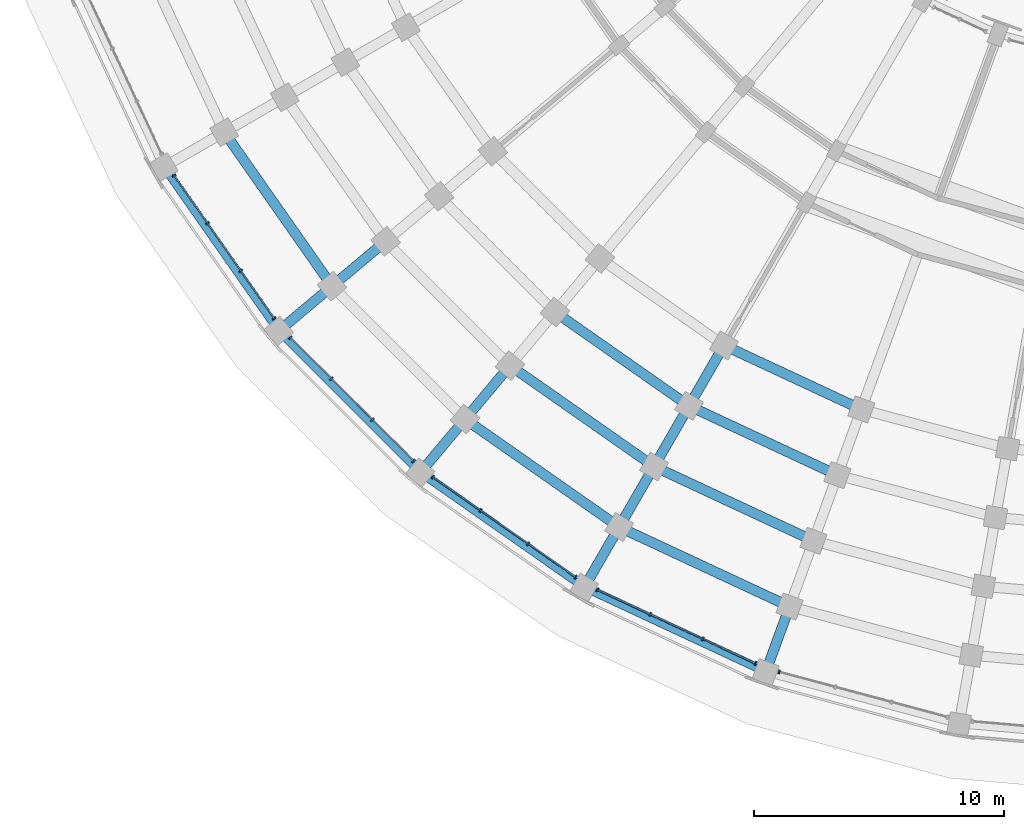
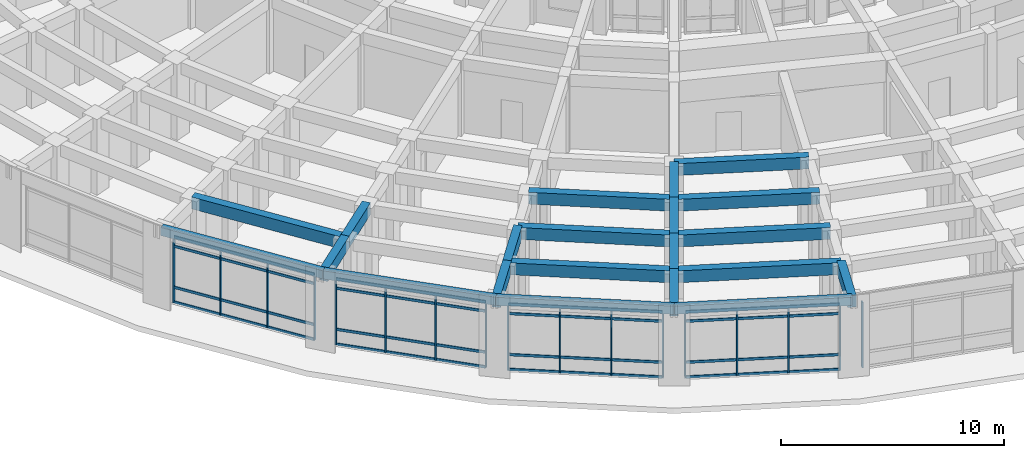
# One storey, part 13 of 135: 33 members, 21 beams, 5 elements without a shape of their own.
"""IFC4 building model written with IfcOpenShell, lengths in metres."""

from ifc_helpers import new_model, si_unit, direction, frame, origin, origin_2d, place, context, subcontext, project, spatial, rectangle, extrude, material, material_profile, profile_set, type_object, element, aggregate, save


model = new_model("IFC4")

# Units and contexts
model_context = context("Model", 3, precision=1e-05, world=origin(), true_north=direction((0.0, 1.0)))
body_context = subcontext(model_context, "Body", "Model", "MODEL_VIEW")
ifc_project = project(units=[si_unit("LENGTHUNIT", "METRE"), si_unit("AREAUNIT", "SQUARE_METRE"), si_unit("VOLUMEUNIT", "CUBIC_METRE"), si_unit("PLANEANGLEUNIT", "RADIAN"), si_unit("MASSUNIT", "GRAM", prefix="KILO")], contexts=[model_context])

# Site, building, storey
site_placement = place(None, origin())
site = spatial("IfcSite", under=ifc_project, at=site_placement, CompositionType="ELEMENT")
building_placement = place(site_placement, origin())
building = spatial("IfcBuilding", under=site, at=building_placement, Name="Kiranvali Square Residences", CompositionType="ELEMENT")
storey_placement = place(building_placement, origin())
storey = spatial("IfcBuildingStorey", under=building, at=storey_placement, Name="L00", CompositionType="ELEMENT", Elevation=0.0)

# Beams
ifc_material_1 = material(Name="Concrete M45 (45 MPa)", Category="concrete")
ifc_material_profile_1 = material_profile(ifc_material_1, rectangle(XDim=0.39990234375, YDim=0.64990234375, at=origin_2d()), Name="RC 400x650")
ifc_profile_set_1 = profile_set([ifc_material_profile_1], Name="Concrete M45 (45 MPa)")
beam_type_1 = type_object("IfcBeamType", Name="BM-M45-400x650", PredefinedType="BEAM", material=ifc_profile_set_1)
beam_1_placement = place(storey_placement, frame((36.297607421875, 15.498779296875, 3.824951171875), z_axis=(-0.906312656069, 0.42260781991, 0.0), x_axis=(-0.42260781991, -0.906312656069, 0.0)))
element("IfcBeam", 1, at=beam_1_placement, inside=storey, type_object=beam_type_1, Name="L00 beam BM-C-L00-C02-R3", PredefinedType="BEAM", context=body_context, shape_type="SweptSolid", body=[
    extrude(rectangle(XDim=0.39990234375, YDim=0.64990234375, at=origin_2d()), origin(), (0.0, 0.0, 1.0), 6.06591796875),
])
beam_2_placement = place(storey_placement, frame((35.340087890625, 12.86767578125, 3.824951171875), z_axis=(-0.906318225223, 0.422595876255, 0.0), x_axis=(-0.422595876255, -0.906318225223, 0.0)))
element("IfcBeam", 2, at=beam_2_placement, inside=storey, type_object=beam_type_1, Name="L00 beam BM-C-L00-C02-R4", PredefinedType="BEAM", context=body_context, shape_type="SweptSolid", body=[
    extrude(rectangle(XDim=0.39990234375, YDim=0.64990234375, at=origin_2d()), origin(), (0.0, 0.0, 1.0), 6.55419921875),
])
beam_3_placement = place(storey_placement, frame((34.38232421875, 10.236328125, 3.824951171875), z_axis=(-0.906297360311, 0.422640621205, 0.0), x_axis=(-0.422640621205, -0.906297360311, 0.0)))
element("IfcBeam", 3, at=beam_3_placement, inside=storey, type_object=beam_type_1, Name="L00 beam BM-C-L00-C02-R5", PredefinedType="BEAM", context=body_context, shape_type="SweptSolid", body=[
    extrude(rectangle(XDim=0.39990234375, YDim=0.64990234375, at=origin_2d()), origin(), (0.0, 0.0, 1.0), 7.042236328125),
])
beam_4_placement = place(storey_placement, frame((33.4248046875, 7.605224609375, 3.824951171875), z_axis=(-0.90630982703, 0.422613886933, 0.0), x_axis=(-0.422613886933, -0.90630982703, 0.0)))
element("IfcBeam", 4, at=beam_4_placement, inside=storey, type_object=beam_type_1, Name="L00 beam BM-C-L00-C02-R6", PredefinedType="BEAM", context=body_context, shape_type="SweptSolid", body=[
    extrude(rectangle(XDim=0.39990234375, YDim=0.64990234375, at=origin_2d()), origin(), (0.0, 0.0, 1.0), 7.5302734375),
])
beam_5_placement = place(storey_placement, frame((29.39990234375, 15.637451171875, 3.824951171875), z_axis=(-0.819144409176, 0.573587340268, 0.0), x_axis=(-0.573587340268, -0.819144409176, 0.0)))
element("IfcBeam", 5, at=beam_5_placement, inside=storey, type_object=beam_type_1, Name="L00 beam BM-C-L00-C03-R4", PredefinedType="BEAM", context=body_context, shape_type="SweptSolid", body=[
    extrude(rectangle(XDim=0.39990234375, YDim=0.64990234375, at=origin_2d()), origin(), (0.0, 0.0, 1.0), 6.553955078125),
])
beam_6_placement = place(storey_placement, frame((28.0, 13.212646484375, 3.824951171875), z_axis=(-0.819160249246, 0.57356471828, 0.0), x_axis=(-0.57356471828, -0.819160249246, 0.0)))
element("IfcBeam", 6, at=beam_6_placement, inside=storey, type_object=beam_type_1, Name="L00 beam BM-C-L00-C03-R5", PredefinedType="BEAM", context=body_context, shape_type="SweptSolid", body=[
    extrude(rectangle(XDim=0.39990234375, YDim=0.64990234375, at=origin_2d()), origin(), (0.0, 0.0, 1.0), 7.0419921875),
])
for number, where, z_axis, x_axis, name in (
    (7, (26.60009765625, 10.78759765625, 3.824951171875), (-0.819143569597, 0.573588539275, 0.0), (-0.573588539275, -0.819143569597, 0.0), "L00 beam BM-C-L00-C03-R6"),
    (8, (15.10693359375, 20.431640625, 3.824951171875), (-0.573588539275, 0.819143569597, 0.0), (-0.819143569597, -0.573588539275, 0.0), "L00 beam BM-C-L00-C05-R6"),
):
    element("IfcBeam", number, at=place(storey_placement, frame(where, z_axis=z_axis, x_axis=x_axis)), inside=storey, type_object=beam_type_1, Name=name, PredefinedType="BEAM", context=body_context, shape_type="SweptSolid", body=[
        extrude(rectangle(XDim=0.39990234375, YDim=0.64990234375, at=origin_2d()), origin(), (0.0, 0.0, 1.0), 7.5302734375),
    ])
for number, where, z_axis, x_axis, name in (
    (9, (33.4248046875, 7.605224609375, 3.824951171875), (-0.342058084236, -0.939678810556, 0.0), (0.939678810556, -0.342058084236, 0.0), "L00 beam BM-C-L00-RAD02-67"),
    (10, (30.800048828125, 18.062255859375, 3.824951171875), (-0.500049511043, -0.865996816683, 0.0), (0.865996816683, -0.500049511043, 0.0), "L00 beam BM-C-L00-RAD03-34"),
):
    element("IfcBeam", number, at=place(storey_placement, frame(where, z_axis=z_axis, x_axis=x_axis)), inside=storey, type_object=beam_type_1, Name=name, PredefinedType="BEAM", context=body_context, shape_type="SweptSolid", body=[
        extrude(rectangle(XDim=0.39990234375, YDim=0.64990234375, at=origin_2d()), origin(), (0.0, 0.0, 1.0), 2.800048828125),
    ])
beam_7_placement = place(storey_placement, frame((29.39990234375, 15.637451171875, 3.824951171875), z_axis=(-0.49998411664, -0.866034573852, 0.0), x_axis=(0.866034573852, -0.49998411664, 0.0)))
element("IfcBeam", 11, at=beam_7_placement, inside=storey, type_object=beam_type_1, Name="L00 beam BM-C-L00-RAD03-45", PredefinedType="BEAM", context=body_context, shape_type="SweptSolid", body=[
    extrude(rectangle(XDim=0.39990234375, YDim=0.64990234375, at=origin_2d()), origin(), (0.0, 0.0, 1.0), 2.7998046875),
])
for number, where, z_axis, x_axis, name in (
    (12, (28.0, 13.212646484375, 3.824951171875), (-0.49994636267, -0.866056369097, 0.0), (0.866056369097, -0.49994636267, 0.0), "L00 beam BM-C-L00-RAD03-56"),
    (13, (26.60009765625, 10.78759765625, 3.824951171875), (-0.500049511043, -0.865996816683, 0.0), (0.865996816683, -0.500049511043, 0.0), "L00 beam BM-C-L00-RAD03-67"),
):
    element("IfcBeam", number, at=place(storey_placement, frame(where, z_axis=z_axis, x_axis=x_axis)), inside=storey, type_object=beam_type_1, Name=name, PredefinedType="BEAM", context=body_context, shape_type="SweptSolid", body=[
        extrude(rectangle(XDim=0.39990234375, YDim=0.64990234375, at=origin_2d()), origin(), (0.0, 0.0, 1.0), 2.800048828125),
    ])
beam_8_placement = place(storey_placement, frame((22.2314453125, 17.251708984375, 3.824951171875), z_axis=(-0.642813692253, -0.76602255649, 0.0), x_axis=(0.76602255649, -0.642813692253, 0.0)))
element("IfcBeam", 14, at=beam_8_placement, inside=storey, type_object=beam_type_1, Name="L00 beam BM-C-L00-RAD04-56", PredefinedType="BEAM", context=body_context, shape_type="SweptSolid", body=[
    extrude(rectangle(XDim=0.39990234375, YDim=0.64990234375, at=origin_2d()), origin(), (0.0, 0.0, 1.0), 2.7998046875),
])
beam_9_placement = place(storey_placement, frame((20.431640625, 15.10693359375, 3.824951171875), z_axis=(-0.642770757628, -0.766058583359, 0.0), x_axis=(0.766058583359, -0.642770757628, 0.0)))
element("IfcBeam", 15, at=beam_9_placement, inside=storey, type_object=beam_type_1, Name="L00 beam BM-C-L00-RAD04-67", PredefinedType="BEAM", context=body_context, shape_type="SweptSolid", body=[
    extrude(rectangle(XDim=0.39990234375, YDim=0.64990234375, at=origin_2d()), origin(), (0.0, 0.0, 1.0), 2.800048828125),
])
beam_10_placement = place(storey_placement, frame((17.251708984375, 22.2314453125, 3.824951171875), z_axis=(-0.76602255649, -0.642813692253, 0.0), x_axis=(0.642813692253, -0.76602255649, 0.0)))
element("IfcBeam", 16, at=beam_10_placement, inside=storey, type_object=beam_type_1, Name="L00 beam BM-C-L00-RAD05-56", PredefinedType="BEAM", context=body_context, shape_type="SweptSolid", body=[
    extrude(rectangle(XDim=0.39990234375, YDim=0.64990234375, at=origin_2d()), origin(), (0.0, 0.0, 1.0), 2.7998046875),
])
beam_11_placement = place(storey_placement, frame((15.10693359375, 20.431640625, 3.824951171875), z_axis=(-0.766058583359, -0.642770757628, 0.0), x_axis=(0.642770757628, -0.766058583359, 0.0)))
element("IfcBeam", 17, at=beam_11_placement, inside=storey, type_object=beam_type_1, Name="L00 beam BM-C-L00-RAD05-67", PredefinedType="BEAM", context=body_context, shape_type="SweptSolid", body=[
    extrude(rectangle(XDim=0.39990234375, YDim=0.64990234375, at=origin_2d()), origin(), (0.0, 0.0, 1.0), 2.800048828125),
])

# Curtain wall, member
ifc_material_2 = material(Name="Anodised bronze aluminium framing", Category="aluminium")
curtain_wall_type = type_object("IfcCurtainWallType", Name="CW-RET-SHOP", PredefinedType="USERDEFINED", material=ifc_material_2)
curtain_wall_1_placement = place(storey_placement, origin())
curtain_wall_1 = element("IfcCurtainWall", 18, at=curtain_wall_1_placement, inside=storey, type_object=curtain_wall_type, Name="Block C L00 rounded-corner arcade curtain wall 2", ObjectType="CURTAIN WALL", PredefinedType="USERDEFINED")
ifc_material_profile_2 = material_profile(ifc_material_2, rectangle(XDim=0.06494140625, YDim=0.159912109375, at=origin_2d()), Name="ALU 65x160")
ifc_profile_set_2 = profile_set([ifc_material_profile_2], Name="Anodised bronze aluminium framing")
member_type_1 = type_object("IfcMemberType", Name="CW-MUL-160", PredefinedType="MULLION", material=ifc_profile_set_2)
member_1_placement = place(storey_placement, frame((33.00830078125, 4.984375, 0.02001953125), z_axis=(0.0, 0.0, 1.0), x_axis=(-0.965925826289, 0.258819045103, 0.0)))
member_1 = element("IfcMember", 19, at=member_1_placement, type_object=member_type_1, Name="CW-C-L00-CRV-01 vertical mullion 4", PredefinedType="MULLION", context=body_context, shape_type="SweptSolid", body=[
    extrude(rectangle(XDim=0.06494140625, YDim=0.159912109375, at=origin_2d()), origin(), (0.0, 0.0, 1.0), 3.60986328125),
])
aggregate(curtain_wall_1, [member_1])

# Curtain wall, members
curtain_wall_2_placement = place(storey_placement, origin())
curtain_wall_2 = element("IfcCurtainWall", 20, at=curtain_wall_2_placement, inside=storey, type_object=curtain_wall_type, Name="Block C L00 rounded-corner arcade curtain wall 3", ObjectType="CURTAIN WALL", PredefinedType="USERDEFINED")
member_2_placement = place(storey_placement, frame((32.05908203125, 5.329833984375, 0.02001953125), z_axis=(0.0, 0.0, 1.0), x_axis=(-0.906307787037, 0.422618261741, 0.0)))
member_2 = element("IfcMember", 21, at=member_2_placement, type_object=member_type_1, Name="CW-C-L00-CRV-02 vertical mullion 1", PredefinedType="MULLION", context=body_context, shape_type="SweptSolid", body=[
    extrude(rectangle(XDim=0.06494140625, YDim=0.159912109375, at=origin_2d()), origin(), (0.0, 0.0, 1.0), 3.60986328125),
])
member_3_placement = place(storey_placement, frame((29.950927734375, 6.31298828125, 0.02001953125), z_axis=(0.0, 0.0, 1.0), x_axis=(-0.906307787037, 0.422618261741, 0.0)))
member_3 = element("IfcMember", 22, at=member_3_placement, type_object=member_type_1, Name="CW-C-L00-CRV-02 vertical mullion 2", PredefinedType="MULLION", context=body_context, shape_type="SweptSolid", body=[
    extrude(rectangle(XDim=0.06494140625, YDim=0.159912109375, at=origin_2d()), origin(), (0.0, 0.0, 1.0), 3.60986328125),
])
member_4_placement = place(storey_placement, frame((27.8427734375, 7.2958984375, 0.02001953125), z_axis=(0.0, 0.0, 1.0), x_axis=(-0.906307787037, 0.422618261741, 0.0)))
member_4 = element("IfcMember", 23, at=member_4_placement, type_object=member_type_1, Name="CW-C-L00-CRV-02 vertical mullion 3", PredefinedType="MULLION", context=body_context, shape_type="SweptSolid", body=[
    extrude(rectangle(XDim=0.06494140625, YDim=0.159912109375, at=origin_2d()), origin(), (0.0, 0.0, 1.0), 3.60986328125),
])
member_5_placement = place(storey_placement, frame((25.734619140625, 8.279052734375, 0.02001953125), z_axis=(0.0, 0.0, 1.0), x_axis=(-0.906307787037, 0.422618261741, 0.0)))
member_5 = element("IfcMember", 24, at=member_5_placement, type_object=member_type_1, Name="CW-C-L00-CRV-02 vertical mullion 4", PredefinedType="MULLION", context=body_context, shape_type="SweptSolid", body=[
    extrude(rectangle(XDim=0.06494140625, YDim=0.159912109375, at=origin_2d()), origin(), (0.0, 0.0, 1.0), 3.60986328125),
])

curtain_wall_3_placement = place(storey_placement, origin())
curtain_wall_3 = element("IfcCurtainWall", 25, at=curtain_wall_3_placement, inside=storey, type_object=curtain_wall_type, Name="Block C L00 rounded-corner arcade curtain wall 4", ObjectType="CURTAIN WALL", PredefinedType="USERDEFINED")
member_6_placement = place(storey_placement, frame((24.860107421875, 8.783935546875, 0.02001953125), z_axis=(0.0, 0.0, 1.0), x_axis=(-0.819152044289, 0.573576436351, 0.0)))
member_6 = element("IfcMember", 26, at=member_6_placement, type_object=member_type_1, Name="CW-C-L00-CRV-03 vertical mullion 1", PredefinedType="MULLION", context=body_context, shape_type="SweptSolid", body=[
    extrude(rectangle(XDim=0.06494140625, YDim=0.159912109375, at=origin_2d()), origin(), (0.0, 0.0, 1.0), 3.60986328125),
])
member_7_placement = place(storey_placement, frame((22.95458984375, 10.1181640625, 0.02001953125), z_axis=(0.0, 0.0, 1.0), x_axis=(-0.819152044289, 0.573576436351, 0.0)))
member_7 = element("IfcMember", 27, at=member_7_placement, type_object=member_type_1, Name="CW-C-L00-CRV-03 vertical mullion 2", PredefinedType="MULLION", context=body_context, shape_type="SweptSolid", body=[
    extrude(rectangle(XDim=0.06494140625, YDim=0.159912109375, at=origin_2d()), origin(), (0.0, 0.0, 1.0), 3.60986328125),
])
member_8_placement = place(storey_placement, frame((21.04931640625, 11.452392578125, 0.02001953125), z_axis=(0.0, 0.0, 1.0), x_axis=(-0.819152044289, 0.573576436351, 0.0)))
member_8 = element("IfcMember", 28, at=member_8_placement, type_object=member_type_1, Name="CW-C-L00-CRV-03 vertical mullion 3", PredefinedType="MULLION", context=body_context, shape_type="SweptSolid", body=[
    extrude(rectangle(XDim=0.06494140625, YDim=0.159912109375, at=origin_2d()), origin(), (0.0, 0.0, 1.0), 3.60986328125),
])
member_9_placement = place(storey_placement, frame((19.143798828125, 12.78662109375, 0.02001953125), z_axis=(0.0, 0.0, 1.0), x_axis=(-0.819152044289, 0.573576436351, 0.0)))
member_9 = element("IfcMember", 29, at=member_9_placement, type_object=member_type_1, Name="CW-C-L00-CRV-03 vertical mullion 4", PredefinedType="MULLION", context=body_context, shape_type="SweptSolid", body=[
    extrude(rectangle(XDim=0.06494140625, YDim=0.159912109375, at=origin_2d()), origin(), (0.0, 0.0, 1.0), 3.60986328125),
])

curtain_wall_4_placement = place(storey_placement, origin())
curtain_wall_4 = element("IfcCurtainWall", 30, at=curtain_wall_4_placement, inside=storey, type_object=curtain_wall_type, Name="Block C L00 rounded-corner arcade curtain wall 5", ObjectType="CURTAIN WALL", PredefinedType="USERDEFINED")
member_10_placement = place(storey_placement, frame((18.3701171875, 13.435791015625, 0.02001953125), z_axis=(0.0, 0.0, 1.0), x_axis=(-0.707106781187, 0.707106781187, 0.0)))
member_10 = element("IfcMember", 31, at=member_10_placement, type_object=member_type_1, Name="CW-C-L00-CRV-04 vertical mullion 1", PredefinedType="MULLION", context=body_context, shape_type="SweptSolid", body=[
    extrude(rectangle(XDim=0.06494140625, YDim=0.159912109375, at=origin_2d()), origin(), (0.0, 0.0, 1.0), 3.60986328125),
])
member_11_placement = place(storey_placement, frame((16.725341796875, 15.08056640625, 0.02001953125), z_axis=(0.0, 0.0, 1.0), x_axis=(-0.707106781187, 0.707106781187, 0.0)))
member_11 = element("IfcMember", 32, at=member_11_placement, type_object=member_type_1, Name="CW-C-L00-CRV-04 vertical mullion 2", PredefinedType="MULLION", context=body_context, shape_type="SweptSolid", body=[
    extrude(rectangle(XDim=0.06494140625, YDim=0.159912109375, at=origin_2d()), origin(), (0.0, 0.0, 1.0), 3.60986328125),
])
member_12_placement = place(storey_placement, frame((15.08056640625, 16.725341796875, 0.02001953125), z_axis=(0.0, 0.0, 1.0), x_axis=(-0.707106781187, 0.707106781187, 0.0)))
member_12 = element("IfcMember", 33, at=member_12_placement, type_object=member_type_1, Name="CW-C-L00-CRV-04 vertical mullion 3", PredefinedType="MULLION", context=body_context, shape_type="SweptSolid", body=[
    extrude(rectangle(XDim=0.06494140625, YDim=0.159912109375, at=origin_2d()), origin(), (0.0, 0.0, 1.0), 3.60986328125),
])
member_13_placement = place(storey_placement, frame((13.435791015625, 18.3701171875, 0.02001953125), z_axis=(0.0, 0.0, 1.0), x_axis=(-0.707106781187, 0.707106781187, 0.0)))
member_13 = element("IfcMember", 34, at=member_13_placement, type_object=member_type_1, Name="CW-C-L00-CRV-04 vertical mullion 4", PredefinedType="MULLION", context=body_context, shape_type="SweptSolid", body=[
    extrude(rectangle(XDim=0.06494140625, YDim=0.159912109375, at=origin_2d()), origin(), (0.0, 0.0, 1.0), 3.60986328125),
])

curtain_wall_5_placement = place(storey_placement, origin())
curtain_wall_5 = element("IfcCurtainWall", 35, at=curtain_wall_5_placement, inside=storey, type_object=curtain_wall_type, Name="Block C L00 rounded-corner arcade curtain wall 6", ObjectType="CURTAIN WALL", PredefinedType="USERDEFINED")
member_14_placement = place(storey_placement, frame((12.78662109375, 19.143798828125, 0.02001953125), z_axis=(0.0, 0.0, 1.0), x_axis=(-0.573576436351, 0.819152044289, 0.0)))
member_14 = element("IfcMember", 36, at=member_14_placement, type_object=member_type_1, Name="CW-C-L00-CRV-05 vertical mullion 1", PredefinedType="MULLION", context=body_context, shape_type="SweptSolid", body=[
    extrude(rectangle(XDim=0.06494140625, YDim=0.159912109375, at=origin_2d()), origin(), (0.0, 0.0, 1.0), 3.60986328125),
])
member_15_placement = place(storey_placement, frame((11.452392578125, 21.04931640625, 0.02001953125), z_axis=(0.0, 0.0, 1.0), x_axis=(-0.573576436351, 0.819152044289, 0.0)))
member_15 = element("IfcMember", 37, at=member_15_placement, type_object=member_type_1, Name="CW-C-L00-CRV-05 vertical mullion 2", PredefinedType="MULLION", context=body_context, shape_type="SweptSolid", body=[
    extrude(rectangle(XDim=0.06494140625, YDim=0.159912109375, at=origin_2d()), origin(), (0.0, 0.0, 1.0), 3.60986328125),
])
member_16_placement = place(storey_placement, frame((10.1181640625, 22.95458984375, 0.02001953125), z_axis=(0.0, 0.0, 1.0), x_axis=(-0.573576436351, 0.819152044289, 0.0)))
member_16 = element("IfcMember", 38, at=member_16_placement, type_object=member_type_1, Name="CW-C-L00-CRV-05 vertical mullion 3", PredefinedType="MULLION", context=body_context, shape_type="SweptSolid", body=[
    extrude(rectangle(XDim=0.06494140625, YDim=0.159912109375, at=origin_2d()), origin(), (0.0, 0.0, 1.0), 3.60986328125),
])
member_17_placement = place(storey_placement, frame((8.783935546875, 24.860107421875, 0.02001953125), z_axis=(0.0, 0.0, 1.0), x_axis=(-0.573576436351, 0.819152044289, 0.0)))
member_17 = element("IfcMember", 39, at=member_17_placement, type_object=member_type_1, Name="CW-C-L00-CRV-05 vertical mullion 4", PredefinedType="MULLION", context=body_context, shape_type="SweptSolid", body=[
    extrude(rectangle(XDim=0.06494140625, YDim=0.159912109375, at=origin_2d()), origin(), (0.0, 0.0, 1.0), 3.60986328125),
])

# Member
ifc_material_profile_3 = material_profile(ifc_material_2, rectangle(XDim=0.06494140625, YDim=0.139892578125, at=origin_2d()), Name="ALU 65x140")
ifc_profile_set_3 = profile_set([ifc_material_profile_3], Name="Anodised bronze aluminium framing")
member_type_2 = type_object("IfcMemberType", Name="CW-TRN-140", PredefinedType="MULLION", material=ifc_profile_set_3)
member_18_placement = place(storey_placement, frame((32.050048828125, 5.333984375, 0.0400390625), z_axis=(-0.90629694339, 0.422641515237, 0.0), x_axis=(-0.422641515237, -0.90629694339, 0.0)))
member_18 = element("IfcMember", 40, at=member_18_placement, type_object=member_type_2, Name="CW-C-L00-CRV-02 horizontal transom 1", PredefinedType="MULLION", context=body_context, shape_type="SweptSolid", body=[
    extrude(rectangle(XDim=0.06494140625, YDim=0.139892578125, at=origin_2d()), origin(), (0.0, 0.0, 1.0), 6.95849609375),
])

member_19_placement = place(storey_placement, frame((32.050048828125, 5.333984375, 0.85009765625), z_axis=(-0.90629694339, 0.422641515237, 0.0), x_axis=(-0.422641515237, -0.90629694339, 0.0)))
member_19 = element("IfcMember", 41, at=member_19_placement, type_object=member_type_2, Name="CW-C-L00-CRV-02 horizontal transom 2", PredefinedType="MULLION", context=body_context, shape_type="SweptSolid", body=[
    extrude(rectangle(XDim=0.06494140625, YDim=0.139892578125, at=origin_2d()), origin(), (0.0, 0.0, 1.0), 6.95849609375),
])

member_20_placement = place(storey_placement, frame((32.050048828125, 5.333984375, 3.10009765625), z_axis=(-0.90629694339, 0.422641515237, 0.0), x_axis=(-0.422641515237, -0.90629694339, 0.0)))
member_20 = element("IfcMember", 42, at=member_20_placement, type_object=member_type_2, Name="CW-C-L00-CRV-02 horizontal transom 3", PredefinedType="MULLION", context=body_context, shape_type="SweptSolid", body=[
    extrude(rectangle(XDim=0.06494140625, YDim=0.139892578125, at=origin_2d()), origin(), (0.0, 0.0, 1.0), 6.95849609375),
])

member_21_placement = place(storey_placement, frame((32.050048828125, 5.333984375, 3.610107421875), z_axis=(-0.90629694339, 0.422641515237, 0.0), x_axis=(-0.422641515237, -0.90629694339, 0.0)))
member_21 = element("IfcMember", 43, at=member_21_placement, type_object=member_type_2, Name="CW-C-L00-CRV-02 horizontal transom 4", PredefinedType="MULLION", context=body_context, shape_type="SweptSolid", body=[
    extrude(rectangle(XDim=0.06494140625, YDim=0.139892578125, at=origin_2d()), origin(), (0.0, 0.0, 1.0), 6.95849609375),
])

aggregate(curtain_wall_2, [member_2, member_3, member_4, member_5, member_18, member_19, member_20, member_21])

member_22_placement = place(storey_placement, frame((24.851806640625, 8.789794921875, 0.0400390625), z_axis=(-0.819164332124, 0.573558887104, 0.0), x_axis=(-0.573558887104, -0.819164332124, 0.0)))
member_22 = element("IfcMember", 44, at=member_22_placement, type_object=member_type_2, Name="CW-C-L00-CRV-03 horizontal transom 1", PredefinedType="MULLION", context=body_context, shape_type="SweptSolid", body=[
    extrude(rectangle(XDim=0.06494140625, YDim=0.139892578125, at=origin_2d()), origin(), (0.0, 0.0, 1.0), 6.958251953125),
])

member_23_placement = place(storey_placement, frame((24.851806640625, 8.789794921875, 0.85009765625), z_axis=(-0.819164332124, 0.573558887104, 0.0), x_axis=(-0.573558887104, -0.819164332124, 0.0)))
member_23 = element("IfcMember", 45, at=member_23_placement, type_object=member_type_2, Name="CW-C-L00-CRV-03 horizontal transom 2", PredefinedType="MULLION", context=body_context, shape_type="SweptSolid", body=[
    extrude(rectangle(XDim=0.06494140625, YDim=0.139892578125, at=origin_2d()), origin(), (0.0, 0.0, 1.0), 6.958251953125),
])

member_24_placement = place(storey_placement, frame((24.851806640625, 8.789794921875, 3.10009765625), z_axis=(-0.819164332124, 0.573558887104, 0.0), x_axis=(-0.573558887104, -0.819164332124, 0.0)))
member_24 = element("IfcMember", 46, at=member_24_placement, type_object=member_type_2, Name="CW-C-L00-CRV-03 horizontal transom 3", PredefinedType="MULLION", context=body_context, shape_type="SweptSolid", body=[
    extrude(rectangle(XDim=0.06494140625, YDim=0.139892578125, at=origin_2d()), origin(), (0.0, 0.0, 1.0), 6.958251953125),
])

member_25_placement = place(storey_placement, frame((24.851806640625, 8.789794921875, 3.610107421875), z_axis=(-0.819164332124, 0.573558887104, 0.0), x_axis=(-0.573558887104, -0.819164332124, 0.0)))
member_25 = element("IfcMember", 47, at=member_25_placement, type_object=member_type_2, Name="CW-C-L00-CRV-03 horizontal transom 4", PredefinedType="MULLION", context=body_context, shape_type="SweptSolid", body=[
    extrude(rectangle(XDim=0.06494140625, YDim=0.139892578125, at=origin_2d()), origin(), (0.0, 0.0, 1.0), 6.958251953125),
])

aggregate(curtain_wall_3, [member_6, member_7, member_8, member_9, member_22, member_23, member_24, member_25])

member_26_placement = place(storey_placement, frame((18.363037109375, 13.44287109375, 0.0400390625), z_axis=(-0.707106781187, 0.707106781187, 0.0), x_axis=(-0.707106781187, -0.707106781187, 0.0)))
member_26 = element("IfcMember", 48, at=member_26_placement, type_object=member_type_2, Name="CW-C-L00-CRV-04 horizontal transom 1", PredefinedType="MULLION", context=body_context, shape_type="SweptSolid", body=[
    extrude(rectangle(XDim=0.06494140625, YDim=0.139892578125, at=origin_2d()), origin(), (0.0, 0.0, 1.0), 6.958251953125),
])

member_27_placement = place(storey_placement, frame((18.363037109375, 13.44287109375, 0.85009765625), z_axis=(-0.707106781187, 0.707106781187, 0.0), x_axis=(-0.707106781187, -0.707106781187, 0.0)))
member_27 = element("IfcMember", 49, at=member_27_placement, type_object=member_type_2, Name="CW-C-L00-CRV-04 horizontal transom 2", PredefinedType="MULLION", context=body_context, shape_type="SweptSolid", body=[
    extrude(rectangle(XDim=0.06494140625, YDim=0.139892578125, at=origin_2d()), origin(), (0.0, 0.0, 1.0), 6.958251953125),
])

member_28_placement = place(storey_placement, frame((18.363037109375, 13.44287109375, 3.10009765625), z_axis=(-0.707106781187, 0.707106781187, 0.0), x_axis=(-0.707106781187, -0.707106781187, 0.0)))
member_28 = element("IfcMember", 50, at=member_28_placement, type_object=member_type_2, Name="CW-C-L00-CRV-04 horizontal transom 3", PredefinedType="MULLION", context=body_context, shape_type="SweptSolid", body=[
    extrude(rectangle(XDim=0.06494140625, YDim=0.139892578125, at=origin_2d()), origin(), (0.0, 0.0, 1.0), 6.958251953125),
])

member_29_placement = place(storey_placement, frame((18.363037109375, 13.44287109375, 3.610107421875), z_axis=(-0.707106781187, 0.707106781187, 0.0), x_axis=(-0.707106781187, -0.707106781187, 0.0)))
member_29 = element("IfcMember", 51, at=member_29_placement, type_object=member_type_2, Name="CW-C-L00-CRV-04 horizontal transom 4", PredefinedType="MULLION", context=body_context, shape_type="SweptSolid", body=[
    extrude(rectangle(XDim=0.06494140625, YDim=0.139892578125, at=origin_2d()), origin(), (0.0, 0.0, 1.0), 6.958251953125),
])

aggregate(curtain_wall_4, [member_10, member_11, member_12, member_13, member_26, member_27, member_28, member_29])

member_30_placement = place(storey_placement, frame((12.78076171875, 19.15185546875, 0.0400390625), z_axis=(-0.573558887104, 0.819164332124, 0.0), x_axis=(-0.819164332124, -0.573558887104, 0.0)))
member_30 = element("IfcMember", 52, at=member_30_placement, type_object=member_type_2, Name="CW-C-L00-CRV-05 horizontal transom 1", PredefinedType="MULLION", context=body_context, shape_type="SweptSolid", body=[
    extrude(rectangle(XDim=0.06494140625, YDim=0.139892578125, at=origin_2d()), origin(), (0.0, 0.0, 1.0), 6.958251953125),
])

member_31_placement = place(storey_placement, frame((12.78076171875, 19.15185546875, 0.85009765625), z_axis=(-0.573558887104, 0.819164332124, 0.0), x_axis=(-0.819164332124, -0.573558887104, 0.0)))
member_31 = element("IfcMember", 53, at=member_31_placement, type_object=member_type_2, Name="CW-C-L00-CRV-05 horizontal transom 2", PredefinedType="MULLION", context=body_context, shape_type="SweptSolid", body=[
    extrude(rectangle(XDim=0.06494140625, YDim=0.139892578125, at=origin_2d()), origin(), (0.0, 0.0, 1.0), 6.958251953125),
])

member_32_placement = place(storey_placement, frame((12.78076171875, 19.15185546875, 3.10009765625), z_axis=(-0.573558887104, 0.819164332124, 0.0), x_axis=(-0.819164332124, -0.573558887104, 0.0)))
member_32 = element("IfcMember", 54, at=member_32_placement, type_object=member_type_2, Name="CW-C-L00-CRV-05 horizontal transom 3", PredefinedType="MULLION", context=body_context, shape_type="SweptSolid", body=[
    extrude(rectangle(XDim=0.06494140625, YDim=0.139892578125, at=origin_2d()), origin(), (0.0, 0.0, 1.0), 6.958251953125),
])

member_33_placement = place(storey_placement, frame((12.78076171875, 19.15185546875, 3.610107421875), z_axis=(-0.573558887104, 0.819164332124, 0.0), x_axis=(-0.819164332124, -0.573558887104, 0.0)))
member_33 = element("IfcMember", 55, at=member_33_placement, type_object=member_type_2, Name="CW-C-L00-CRV-05 horizontal transom 4", PredefinedType="MULLION", context=body_context, shape_type="SweptSolid", body=[
    extrude(rectangle(XDim=0.06494140625, YDim=0.139892578125, at=origin_2d()), origin(), (0.0, 0.0, 1.0), 6.958251953125),
])

aggregate(curtain_wall_5, [member_14, member_15, member_16, member_17, member_30, member_31, member_32, member_33])

# Beams
ifc_material_3 = material(Name="Concrete M40 (40 MPa)", Category="concrete")
ifc_material_profile_4 = material_profile(ifc_material_3, rectangle(XDim=0.300048828125, YDim=0.449951171875, at=origin_2d()), Name="RC 300x450")
ifc_profile_set_4 = profile_set([ifc_material_profile_4], Name="Concrete M40 (40 MPa)")
beam_type_2 = type_object("IfcBeamType", Name="SPN-M40-300x450", PredefinedType="SPANDREL", material=ifc_profile_set_4)
for number, where, z_axis, x_axis, name in (
    (56, (32.467041015625, 4.97412109375, 3.925048828125), (-0.906309113636, 0.422615416827, 0.0), (-0.422615416827, -0.906309113636, 0.0), "L00 beam BM-C-L00-C02-R7"),
    (57, (25.199951171875, 8.36279296875, 3.925048828125), (-0.819147515001, 0.573582904791, 0.0), (-0.573582904791, -0.819147515001, 0.0), "L00 beam BM-C-L00-C03-R7"),
):
    element("IfcBeam", number, at=place(storey_placement, frame(where, z_axis=z_axis, x_axis=x_axis)), inside=storey, type_object=beam_type_2, Name=name, PredefinedType="SPANDREL", context=body_context, shape_type="SweptSolid", body=[
        extrude(rectangle(XDim=0.300048828125, YDim=0.449951171875, at=origin_2d()), origin(), (0.0, 0.0, 1.0), 8.018310546875),
    ])
beam_12_placement = place(storey_placement, frame((18.6318359375, 12.9619140625, 3.925048828125), z_axis=(-0.707106781187, 0.707106781187, 0.0), x_axis=(-0.707106781187, -0.707106781187, 0.0)))
element("IfcBeam", 58, at=beam_12_placement, inside=storey, type_object=beam_type_2, Name="L00 beam BM-C-L00-C04-R7", PredefinedType="SPANDREL", context=body_context, shape_type="SweptSolid", body=[
    extrude(rectangle(XDim=0.300048828125, YDim=0.449951171875, at=origin_2d()), origin(), (0.0, 0.0, 1.0), 8.0185546875),
])
beam_13_placement = place(storey_placement, frame((12.9619140625, 18.6318359375, 3.925048828125), z_axis=(-0.573582904791, 0.819147515001, 0.0), x_axis=(-0.819147515001, -0.573582904791, 0.0)))
element("IfcBeam", 59, at=beam_13_placement, inside=storey, type_object=beam_type_2, Name="L00 beam BM-C-L00-C05-R7", PredefinedType="SPANDREL", context=body_context, shape_type="SweptSolid", body=[
    extrude(rectangle(XDim=0.300048828125, YDim=0.449951171875, at=origin_2d()), origin(), (0.0, 0.0, 1.0), 8.018310546875),
])

save(model, "model.ifc")
